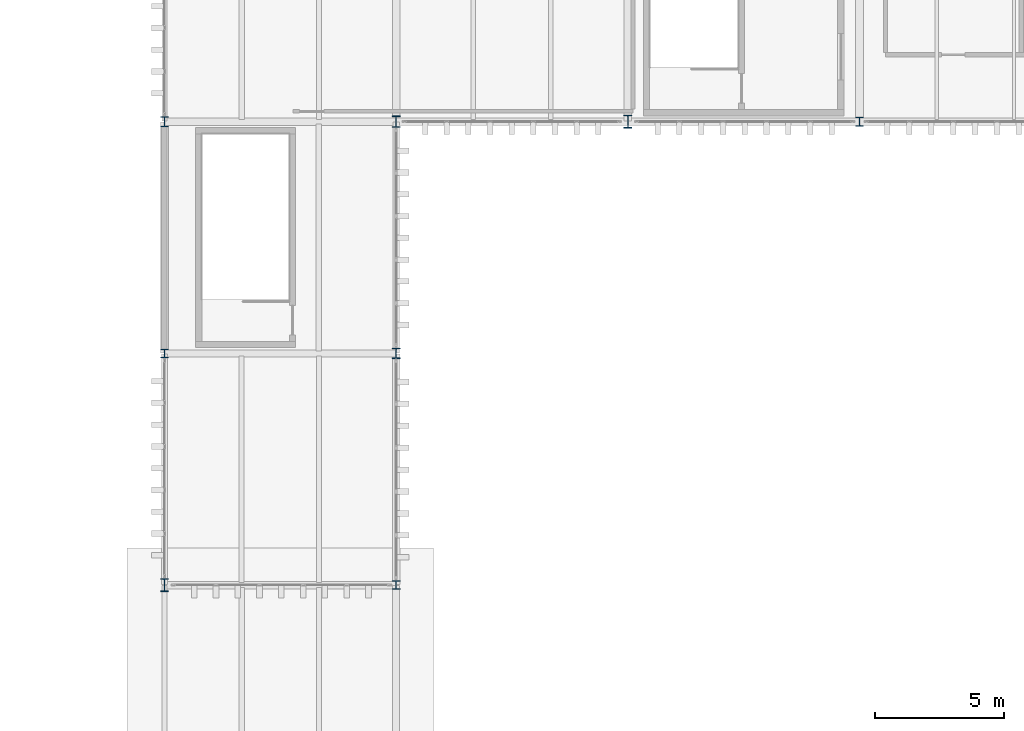
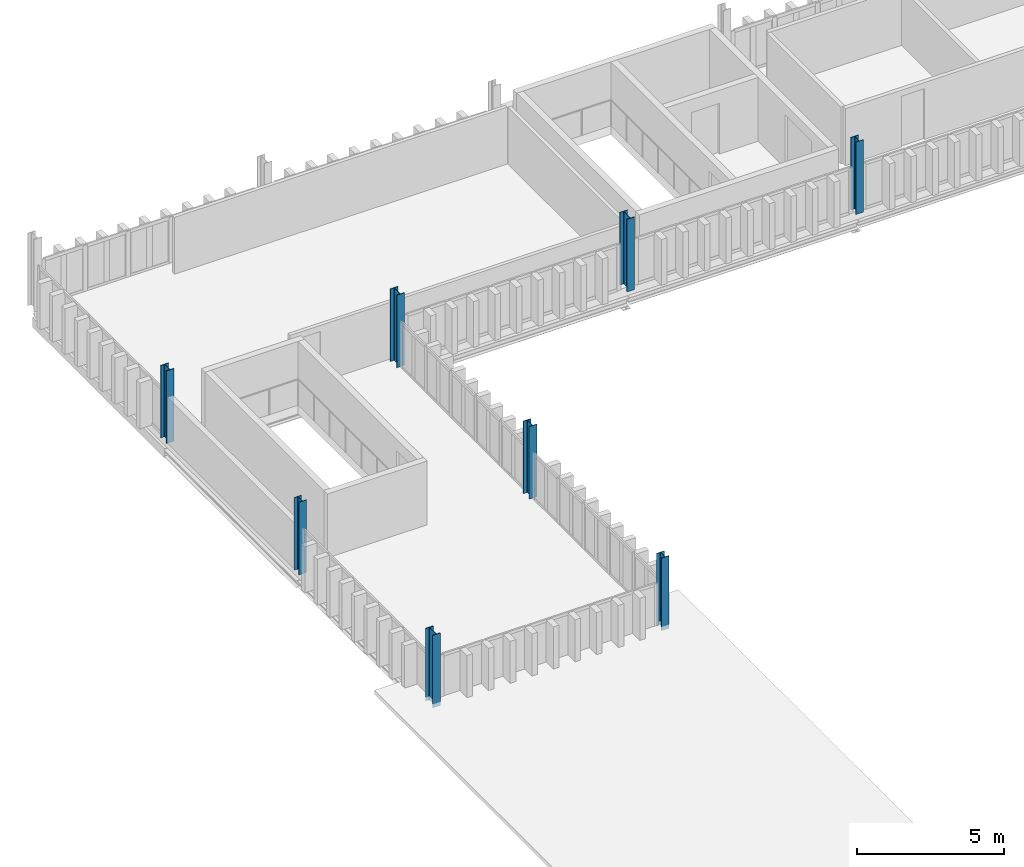
# One storey, part 6 of 58: 8 columns.
"""IFC4 building model written with IfcOpenShell, lengths in metres."""

from ifc_helpers import new_model, si_unit, direction, frame, origin, origin_2d, place, context, subcontext, project, spatial, i_section, extrude, material, material_profile, profile_set, type_object, element, save


model = new_model("IFC4")

# Units and contexts
model_context = context("Model", 3, precision=1e-05, world=origin(), true_north=direction((0.0, 1.0)))
body_context = subcontext(model_context, "Body", "Model", "MODEL_VIEW")
ifc_project = project(units=[si_unit("LENGTHUNIT", "METRE"), si_unit("AREAUNIT", "SQUARE_METRE"), si_unit("VOLUMEUNIT", "CUBIC_METRE"), si_unit("PLANEANGLEUNIT", "RADIAN"), si_unit("MASSUNIT", "GRAM", prefix="KILO")], contexts=[model_context])

# Site, building, storey
site_placement = place(None, origin())
site = spatial("IfcSite", under=ifc_project, at=site_placement, CompositionType="ELEMENT")
building_placement = place(site_placement, origin())
building = spatial("IfcBuilding", under=site, at=building_placement, Name="Barlavento Convention Centre", CompositionType="ELEMENT")
storey_placement = place(building_placement, frame((0.0, 0.0, 26.800048828125)))
storey = spatial("IfcBuildingStorey", under=building, at=storey_placement, Name="L05", CompositionType="ELEMENT", Elevation=26.800048828125)

# Columns
ifc_material = material(Name="Steel S355", Category="steel")
ifc_material_profile_1 = material_profile(ifc_material, i_section(OverallWidth=0.300048828125, OverallDepth=0.340087890625, WebThickness=0.011962890625, FlangeThickness=0.021484375, FilletRadius=0.027099609375, at=origin_2d()), Name="HEB 340")
ifc_profile_set_1 = profile_set([ifc_material_profile_1], Name="Steel S355")
column_type_1 = type_object("IfcColumnType", Name="STR-COL-HEB340", PredefinedType="COLUMN", material=ifc_profile_set_1)
for number, where, z_axis, x_axis, name in (
    (1, (126.0, 81.0, 0.0), (0.0, 0.0, 1.0), (1.0, 0.0, 0.0), "L05 column SC12"),
    (2, (135.0, 72.0, 0.0), (0.0, 0.0, 1.0), (1.0, 0.0, 0.0), "L05 column SC12"),
    (3, (153.0, 90.0, 0.0), (0.0, 0.0, 1.0), (1.0, 0.0, 0.0), "L05 column SC12"),
):
    element("IfcColumn", number, at=place(storey_placement, frame(where, z_axis=z_axis, x_axis=x_axis)), inside=storey, type_object=column_type_1, Name=name, PredefinedType="COLUMN", context=body_context, shape_type="SweptSolid", body=[
        extrude(i_section(OverallWidth=0.300048828125, OverallDepth=0.340087890625, WebThickness=0.011962890625, FlangeThickness=0.021484375, FilletRadius=0.027099609375, at=origin_2d()), origin(), (0.0, 0.0, 1.0), 3.0),
    ])
ifc_material_profile_2 = material_profile(ifc_material, i_section(OverallWidth=0.300048828125, OverallDepth=0.39990234375, WebThickness=0.013427734375, FlangeThickness=0.02392578125, FilletRadius=0.027099609375, at=origin_2d()), Name="HEB 400")
ifc_profile_set_2 = profile_set([ifc_material_profile_2], Name="Steel S355")
column_type_2 = type_object("IfcColumnType", Name="STR-COL-HEB400", PredefinedType="COLUMN", material=ifc_profile_set_2)
for number, where, z_axis, x_axis, name in (
    (4, (126.0, 90.0, 0.0), (0.0, 0.0, 1.0), (1.0, 0.0, 0.0), "L05 column SC11"),
    (5, (135.0, 81.0, 0.0), (0.0, 0.0, 1.0), (1.0, 0.0, 0.0), "L05 column SC11"),
):
    element("IfcColumn", number, at=place(storey_placement, frame(where, z_axis=z_axis, x_axis=x_axis)), inside=storey, type_object=column_type_2, Name=name, PredefinedType="COLUMN", context=body_context, shape_type="SweptSolid", body=[
        extrude(i_section(OverallWidth=0.300048828125, OverallDepth=0.39990234375, WebThickness=0.013427734375, FlangeThickness=0.02392578125, FilletRadius=0.027099609375, at=origin_2d()), origin(), (0.0, 0.0, 1.0), 3.0),
    ])
ifc_material_profile_3 = material_profile(ifc_material, i_section(OverallWidth=0.300048828125, OverallDepth=0.449951171875, WebThickness=0.013916015625, FlangeThickness=0.02587890625, FilletRadius=0.027099609375, at=origin_2d()), Name="HEB 450")
ifc_profile_set_3 = profile_set([ifc_material_profile_3], Name="Steel S355")
column_type_3 = type_object("IfcColumnType", Name="STR-COL-HEB450", PredefinedType="COLUMN", material=ifc_profile_set_3)
column_placement = place(storey_placement, frame((135.0, 90.0, 0.0), z_axis=(0.0, 0.0, 1.0), x_axis=(1.0, 0.0, 0.0)))
element("IfcColumn", 6, at=column_placement, inside=storey, type_object=column_type_3, Name="L05 column SC10", PredefinedType="COLUMN", context=body_context, shape_type="SweptSolid", body=[
    extrude(i_section(OverallWidth=0.300048828125, OverallDepth=0.449951171875, WebThickness=0.013916015625, FlangeThickness=0.02587890625, FilletRadius=0.027099609375, at=origin_2d()), origin(), (0.0, 0.0, 1.0), 3.0),
])
ifc_material_profile_4 = material_profile(ifc_material, i_section(OverallWidth=0.300048828125, OverallDepth=0.5, WebThickness=0.014404296875, FlangeThickness=0.028076171875, FilletRadius=0.027099609375, at=origin_2d()), Name="HEB 500")
ifc_profile_set_4 = profile_set([ifc_material_profile_4], Name="Steel S355")
column_type_4 = type_object("IfcColumnType", Name="STR-COL-HEB500", PredefinedType="COLUMN", material=ifc_profile_set_4)
for number, where, z_axis, x_axis, name in (
    (7, (126.0, 72.0, 0.0), (0.0, 0.0, 1.0), (1.0, 0.0, 0.0), "L05 column SC09"),
    (8, (144.0, 90.0, 0.0), (0.0, 0.0, 1.0), (1.0, 0.0, 0.0), "L05 column SC09"),
):
    element("IfcColumn", number, at=place(storey_placement, frame(where, z_axis=z_axis, x_axis=x_axis)), inside=storey, type_object=column_type_4, Name=name, PredefinedType="COLUMN", context=body_context, shape_type="SweptSolid", body=[
        extrude(i_section(OverallWidth=0.300048828125, OverallDepth=0.5, WebThickness=0.014404296875, FlangeThickness=0.028076171875, FilletRadius=0.027099609375, at=origin_2d()), origin(), (0.0, 0.0, 1.0), 3.0),
    ])

save(model, "model.ifc")
